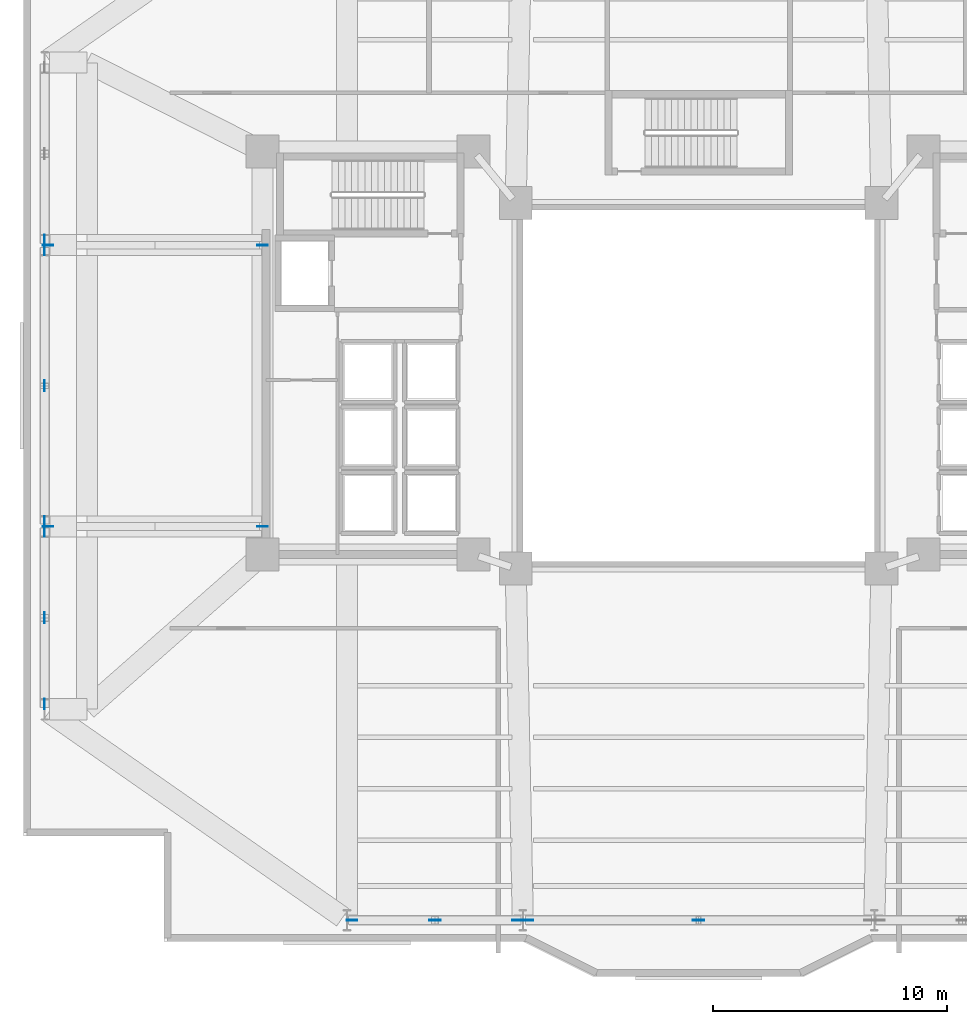
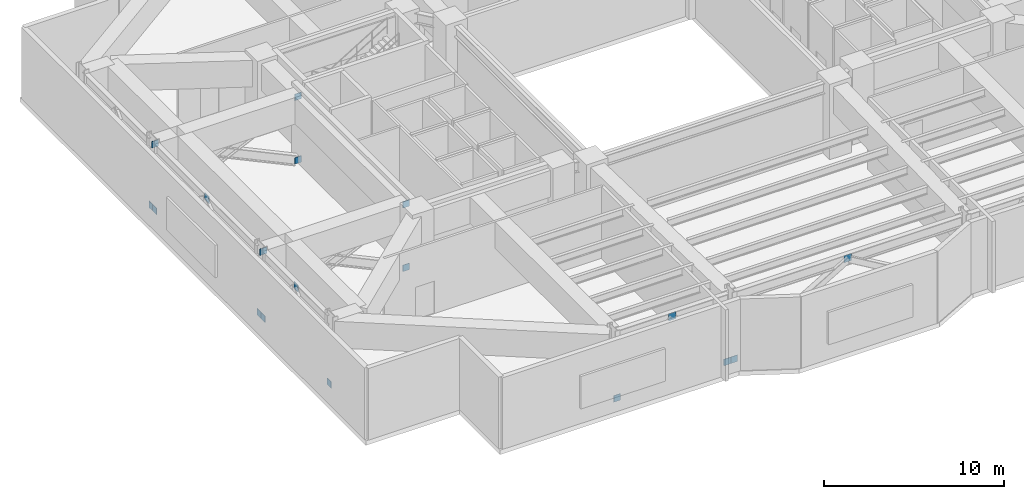
# One storey, part 4 of 12: 18 plates.
"""IFC4 building model written with IfcOpenShell, lengths in metres."""

from ifc_helpers import new_model, si_unit, direction, frame, origin, origin_2d, place, context, subcontext, project, spatial, rectangle, extrude, material, layer, layer_set, type_object, element, save


model = new_model("IFC4")

# Units and contexts
model_context = context("Model", 3, precision=1e-05, world=origin(), true_north=direction((0.0, 1.0)))
body_context = subcontext(model_context, "Body", "Model", "MODEL_VIEW")
ifc_project = project(units=[si_unit("LENGTHUNIT", "METRE"), si_unit("AREAUNIT", "SQUARE_METRE"), si_unit("VOLUMEUNIT", "CUBIC_METRE"), si_unit("PLANEANGLEUNIT", "RADIAN"), si_unit("MASSUNIT", "GRAM", prefix="KILO")], contexts=[model_context])

# Site, building, storey
site_placement = place(None, origin())
site = spatial("IfcSite", under=ifc_project, at=site_placement, CompositionType="ELEMENT")
building_placement = place(site_placement, origin())
building = spatial("IfcBuilding", under=site, at=building_placement, Name="Tarnavaz Court Tower", CompositionType="ELEMENT")
storey_placement = place(building_placement, frame((0.0, 0.0, 73.199951171875)))
storey = spatial("IfcBuildingStorey", under=building, at=storey_placement, Name="L19", CompositionType="ELEMENT", Elevation=73.199951171875)

# Plates
ifc_material = material(Name="Steel S355", Category="steel")
ifc_layer = layer(ifc_material, 0.030029296875)
ifc_layer_set = layer_set([ifc_layer], Name="Steel S355")
plate_type = type_object("IfcPlateType", Name="PL-GUSSET-30", PredefinedType="USERDEFINED", material=ifc_layer_set)
for number, where, z_axis, x_axis, name in (
    (1, (-11.25, -22.800048828125, 4.260009765625), (0.0, 0.0, 1.0), (1.0, 0.0, 0.0), "L19 Belt Truss Apex Gusset & End-Cap Plate 04"),
    (2, (0.0, -22.800048828125, 4.260009765625), (0.0, 0.0, 1.0), (1.0, 0.0, 0.0), "L19 Belt Truss Apex Gusset & End-Cap Plate 05"),
    (3, (-27.89990234375, -9.89990234375, 4.260009765625), (0.0, 0.0, 1.0), (0.0, 1.0, 0.0), "L19 Belt Truss Apex Gusset & End-Cap Plate 10"),
    (4, (-27.89990234375, 0.0, 4.260009765625), (0.0, 0.0, 1.0), (0.0, 1.0, 0.0), "L19 Belt Truss Apex Gusset & End-Cap Plate 11"),
):
    element("IfcPlate", number, at=place(storey_placement, frame(where, z_axis=z_axis, x_axis=x_axis)), inside=storey, type_object=plate_type, Name=name, ObjectType="GUSSET PLATE", PredefinedType="USERDEFINED", context=body_context, shape_type="SweptSolid", body=[
        extrude(rectangle(XDim=0.47998046875, YDim=0.030029296875, at=origin_2d()), origin(), (0.0, 0.0, 1.0), 0.47998046875),
    ])
for number, where, z_axis, x_axis, name in (
    (5, (-14.780029296875, -22.800048828125, -0.02001953125), (0.0, 0.0, 1.0), (1.0, 0.0, 0.0), "L19 Structural Brace & Strut End Gusset Plate 007"),
    (6, (-7.719970703125, -22.800048828125, -0.02001953125), (0.0, 0.0, 1.0), (1.0, 0.0, 0.0), "L19 Structural Brace & Strut End Gusset Plate 008"),
    (7, (-7.280029296875, -22.800048828125, -0.02001953125), (0.0, 0.0, 1.0), (1.0, 0.0, 0.0), "L19 Structural Brace & Strut End Gusset Plate 009"),
    (8, (-27.89990234375, -13.580078125, -0.02001953125), (0.0, 0.0, 1.0), (0.0, 1.0, 0.0), "L19 Structural Brace & Strut End Gusset Plate 019"),
    (9, (-27.89990234375, -6.219970703125, -0.02001953125), (0.0, 0.0, 1.0), (0.0, 1.0, 0.0), "L19 Structural Brace & Strut End Gusset Plate 020"),
    (10, (-27.89990234375, -5.780029296875, -0.02001953125), (0.0, 0.0, 1.0), (0.0, 1.0, 0.0), "L19 Structural Brace & Strut End Gusset Plate 021"),
    (11, (-27.89990234375, 5.780029296875, -0.02001953125), (0.0, 0.0, 1.0), (0.0, 1.0, 0.0), "L19 Structural Brace & Strut End Gusset Plate 022"),
    (12, (-27.89990234375, 6.219970703125, -0.02001953125), (0.0, 0.0, 1.0), (0.0, 1.0, 0.0), "L19 Structural Brace & Strut End Gusset Plate 023"),
    (13, (-18.60009765625, -6.0, -0.02001953125), (0.0, 0.0, 1.0), (1.0, 0.0, 0.0), "L19 Structural Brace & Strut End Gusset Plate 031"),
    (14, (-27.760009765625, -6.0, 4.280029296875), (0.0, 0.0, 1.0), (1.0, 0.0, 0.0), "L19 Structural Brace & Strut End Gusset Plate 032"),
    (15, (-18.60009765625, -6.0, 4.280029296875), (0.0, 0.0, 1.0), (1.0, 0.0, 0.0), "L19 Structural Brace & Strut End Gusset Plate 033"),
    (16, (-18.60009765625, 6.0, -0.02001953125), (0.0, 0.0, 1.0), (1.0, 0.0, 0.0), "L19 Structural Brace & Strut End Gusset Plate 034"),
    (17, (-27.760009765625, 6.0, 4.280029296875), (0.0, 0.0, 1.0), (1.0, 0.0, 0.0), "L19 Structural Brace & Strut End Gusset Plate 035"),
    (18, (-18.60009765625, 6.0, 4.280029296875), (0.0, 0.0, 1.0), (1.0, 0.0, 0.0), "L19 Structural Brace & Strut End Gusset Plate 036"),
):
    element("IfcPlate", number, at=place(storey_placement, frame(where, z_axis=z_axis, x_axis=x_axis)), inside=storey, type_object=plate_type, Name=name, ObjectType="GUSSET PLATE", PredefinedType="USERDEFINED", context=body_context, shape_type="SweptSolid", body=[
        extrude(rectangle(XDim=0.43994140625, YDim=0.030029296875, at=origin_2d()), origin(), (0.0, 0.0, 1.0), 0.43994140625),
    ])

save(model, "model.ifc")
